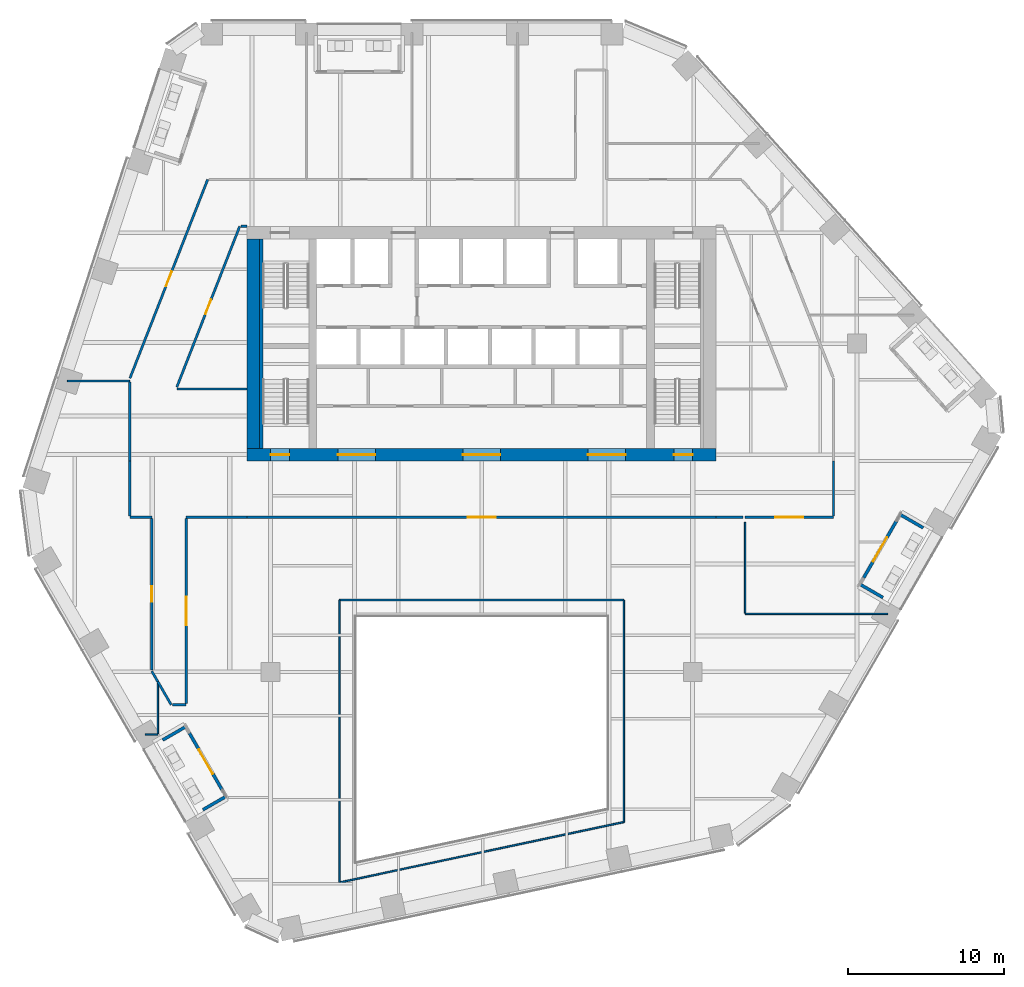
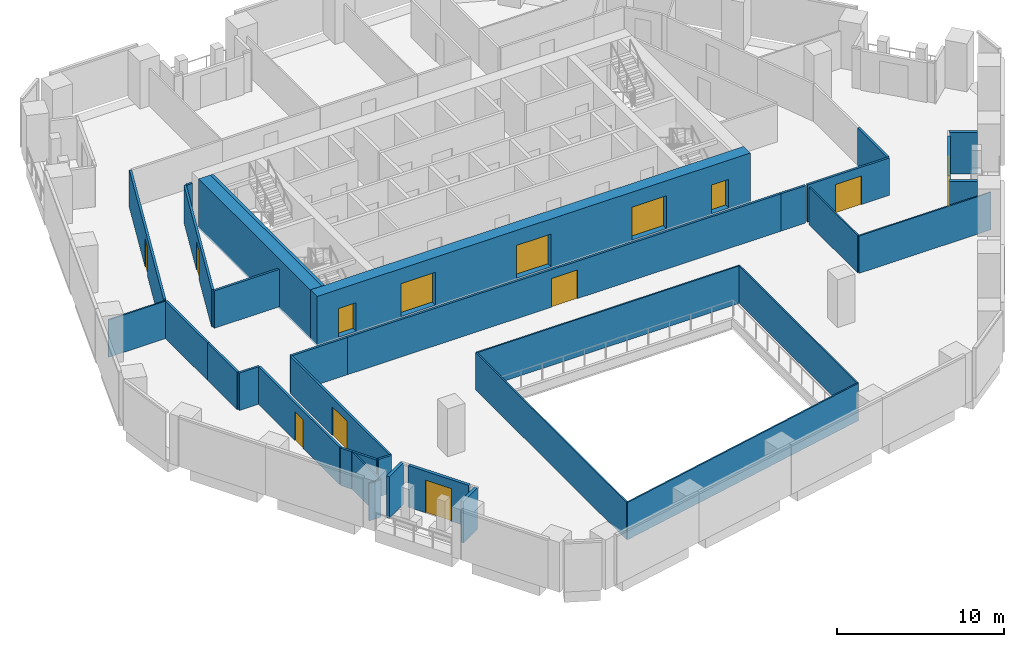
# One storey, part 19 of 26: 35 walls, 13 doors, 13 openings.
"""IFC4 building model written with IfcOpenShell, lengths in metres."""

from ifc_helpers import new_model, si_unit, direction, frame, frame_2d, origin, place, context, subcontext, project, spatial, rectangle, extrude, material, layer, layer_set, type_object, element, fill, save


model = new_model("IFC4")

# Units and contexts
model_context = context("Model", 3, precision=1e-05, world=origin(), true_north=direction((0.0, 1.0)))
body_context = subcontext(model_context, "Body", "Model", "MODEL_VIEW")
ifc_project = project(units=[si_unit("LENGTHUNIT", "METRE"), si_unit("AREAUNIT", "SQUARE_METRE"), si_unit("VOLUMEUNIT", "CUBIC_METRE"), si_unit("PLANEANGLEUNIT", "RADIAN"), si_unit("MASSUNIT", "GRAM", prefix="KILO")], contexts=[model_context])

# Site, building, storey
site_placement = place(None, origin())
site = spatial("IfcSite", under=ifc_project, at=site_placement, CompositionType="ELEMENT")
building_placement = place(site_placement, origin())
building = spatial("IfcBuilding", under=site, at=building_placement, Name="Isthmus Gate Tower", CompositionType="ELEMENT")
storey_placement = place(building_placement, frame((0.0, 0.0, 129.800048828125)))
storey = spatial("IfcBuildingStorey", under=building, at=storey_placement, Name="L31", CompositionType="ELEMENT", Elevation=129.800048828125)

# Walls
ifc_material_1 = material(Name="Fire-rated laminated glass in steel frame", Category="steel")
ifc_layer_1 = layer(ifc_material_1, 0.10009765625)
ifc_layer_set_1 = layer_set([ifc_layer_1], Name="ATRIUM SCREEN GLAZED WALL 100 120 MIN")
wall_type_1 = type_object("IfcWallType", Name="ATRIUM SCREEN GLAZED WALL 100 120 MIN", PredefinedType="PARTITIONING", material=ifc_layer_set_1)
wall_1_placement = place(storey_placement, frame((-9.10009765625, -8.89990234375, 0.0), z_axis=(0.0, 0.0, 1.0), x_axis=(1.0, 0.0, 0.0)))
element("IfcWall", 1, at=wall_1_placement, inside=storey, type_object=wall_type_1, Name="L31 atrium screen", PredefinedType="PARTITIONING", context=body_context, shape_type="SweptSolid", body=[
    extrude(rectangle(XDim=18.2001953125, YDim=0.10009765625, at=frame_2d((9.10009765625, 0.0))), origin(), (0.0, 0.0, 1.0), 2.7412109375),
])
wall_2_placement = place(storey_placement, frame((9.10009765625, -8.89990234375, 0.0), z_axis=(0.0, 0.0, 1.0), x_axis=(0.0, -1.0, 0.0)))
element("IfcWall", 2, at=wall_2_placement, inside=storey, type_object=wall_type_1, Name="L31 atrium screen", PredefinedType="PARTITIONING", context=body_context, shape_type="SweptSolid", body=[
    extrude(rectangle(XDim=14.200927734375, YDim=0.10009765625, at=frame_2d((7.1005859375, 0.0))), origin(), (0.0, 0.0, 1.0), 2.7412109375),
])
wall_3_placement = place(storey_placement, frame((9.10009765625, -23.100830078125, 0.0), z_axis=(0.0, 0.0, 1.0), x_axis=(-0.978146710971, -0.207915876778, 0.0)))
element("IfcWall", 3, at=wall_3_placement, inside=storey, type_object=wall_type_1, Name="L31 atrium screen", PredefinedType="PARTITIONING", context=body_context, shape_type="SweptSolid", body=[
    extrude(rectangle(XDim=18.60693359375, YDim=0.10009765625, at=frame_2d((9.303466796875, 0.0))), origin(), (0.0, 0.0, 1.0), 2.7412109375),
])
wall_4_placement = place(storey_placement, frame((-9.10009765625, -26.969482421875, 0.0), z_axis=(0.0, 0.0, 1.0), x_axis=(0.0, 1.0, 0.0)))
element("IfcWall", 4, at=wall_4_placement, inside=storey, type_object=wall_type_1, Name="L31 atrium screen", PredefinedType="PARTITIONING", context=body_context, shape_type="SweptSolid", body=[
    extrude(rectangle(XDim=18.069580078125, YDim=0.10009765625, at=frame_2d((9.03466796875, 0.0))), origin(), (0.0, 0.0, 1.0), 2.7412109375),
])

# Wall, opening, door
ifc_material_2 = material(Name="Gypsum board on steel studs, fire-rated", Category="steel")
ifc_layer_2 = layer(ifc_material_2, 0.14990234375)
ifc_layer_set_2 = layer_set([ifc_layer_2], Name="CORRIDOR WALL 150 60 MIN")
wall_type_2 = type_object("IfcWallType", Name="CORRIDOR WALL 150 60 MIN", PredefinedType="PARTITIONING", material=ifc_layer_set_2)
wall_5_placement = place(storey_placement, frame((15.0, -3.60009765625, 0.0), z_axis=(0.0, 0.0, 1.0), x_axis=(-1.0, 0.0, 0.0)))
wall_5 = element("IfcWall", 5, at=wall_5_placement, inside=storey, type_object=wall_type_2, Name="L31 Corridor Wall 150 60 Min", PredefinedType="PARTITIONING", context=body_context, shape_type="SweptSolid", body=[
    extrude(rectangle(XDim=30.0, YDim=0.14990234375, at=frame_2d((15.0, 0.0))), origin(), (0.0, 0.0, 1.0), 2.7412109375),
])
opening_1_placement = place(wall_5_placement, frame((14.10009765625, 0.0, 0.0)))
opening_1 = element("IfcOpeningElement", 6, at=opening_1_placement, cuts=wall_5, Name="Opening DT-T3A-09", PredefinedType="OPENING", context=body_context, shape_type="SweptSolid", body=[
    extrude(rectangle(XDim=1.800048828125, YDim=2.10009765625, at=frame_2d((0.89990234375, 1.050048828125))), frame((0.0, 0.0849609375, 0.0), z_axis=(0.0, -1.0, 0.0), x_axis=(1.0, 0.0, 0.0)), (0.0, 0.0, 1.0), 0.169921875),
])
ifc_material_3 = material(Name="Solid core timber door leaf, fire-rated", Category="wood")
door_type_1 = type_object("IfcDoorType", Name="FIRE DOOR ROOM 1800 X 2100 60 MIN", OperationType="DOUBLE_DOOR_DOUBLE_SWING", PredefinedType="DOOR", material=ifc_material_3)
door_1_placement = place(opening_1_placement, origin())
door_1 = element("IfcDoor", 7, at=door_1_placement, inside=storey, type_object=door_type_1, Name="L31 room door", OperationType="DOUBLE_DOOR_DOUBLE_SWING", OverallHeight=2.10009765625, OverallWidth=1.800048828125, PredefinedType="DOOR", context=body_context, shape_type="SweptSolid", body=[
    extrude(rectangle(XDim=1.800048828125, YDim=2.10009765625, at=frame_2d((0.89990234375, 1.050048828125))), frame((0.0, 0.02490234375, 0.0), z_axis=(0.0, -1.0, 0.0), x_axis=(1.0, 0.0, 0.0)), (0.0, 0.0, 1.0), 0.050048828125),
])
fill(opening_1, door_1)

wall_6_placement = place(storey_placement, frame((22.5, -3.60009765625, 0.0), z_axis=(0.0, 0.0, 1.0), x_axis=(-1.0, 0.0, 0.0)))
wall_6 = element("IfcWall", 8, at=wall_6_placement, inside=storey, type_object=wall_type_2, Name="L31 Corridor Wall 150 60 Min", PredefinedType="PARTITIONING", context=body_context, shape_type="SweptSolid", body=[
    extrude(rectangle(XDim=5.64990234375, YDim=0.14990234375, at=frame_2d((2.824951171875, 0.0))), origin(), (0.0, 0.0, 1.0), 2.7412109375),
])
opening_2_placement = place(wall_6_placement, frame((1.925048828125, 0.0, 0.0)))
opening_2 = element("IfcOpeningElement", 9, at=opening_2_placement, cuts=wall_6, Name="Opening DT-T3A-07", PredefinedType="OPENING", context=body_context, shape_type="SweptSolid", body=[
    extrude(rectangle(XDim=1.800048828125, YDim=2.10009765625, at=frame_2d((0.89990234375, 1.050048828125))), frame((0.0, 0.0849609375, 0.0), z_axis=(0.0, -1.0, 0.0), x_axis=(1.0, 0.0, 0.0)), (0.0, 0.0, 1.0), 0.169921875),
])
door_2_placement = place(opening_2_placement, origin())
door_2 = element("IfcDoor", 10, at=door_2_placement, inside=storey, type_object=door_type_1, Name="L31 room door", OperationType="DOUBLE_DOOR_DOUBLE_SWING", OverallHeight=2.10009765625, OverallWidth=1.800048828125, PredefinedType="DOOR", context=body_context, shape_type="SweptSolid", body=[
    extrude(rectangle(XDim=1.800048828125, YDim=2.10009765625, at=frame_2d((0.89990234375, 1.050048828125))), frame((0.0, 0.02490234375, 0.0), z_axis=(0.0, -1.0, 0.0), x_axis=(1.0, 0.0, 0.0)), (0.0, 0.0, 1.0), 0.050048828125),
])
fill(opening_2, door_2)

# Walls
wall_7_placement = place(storey_placement, frame((22.5, 0.0, 0.0), z_axis=(0.0, 0.0, 1.0), x_axis=(0.0, -1.0, 0.0)))
element("IfcWall", 11, at=wall_7_placement, inside=storey, type_object=wall_type_2, Name="L31 Corridor Wall 150 60 Min", PredefinedType="PARTITIONING", context=body_context, shape_type="SweptSolid", body=[
    extrude(rectangle(XDim=3.52490234375, YDim=0.14990234375, at=frame_2d((1.762451171875, 0.0))), origin(), (0.0, 0.0, 1.0), 2.7412109375),
])
wall_8_placement = place(storey_placement, frame((16.714111328125, -3.60009765625, 0.0), z_axis=(0.0, 0.0, 1.0), x_axis=(-1.0, 0.0, 0.0)))
element("IfcWall", 12, at=wall_8_placement, inside=storey, type_object=wall_type_2, Name="L31 Corridor Wall 150 60 Min", PredefinedType="PARTITIONING", context=body_context, shape_type="SweptSolid", body=[
    extrude(rectangle(XDim=1.714111328125, YDim=0.14990234375, at=frame_2d((0.85693359375, 0.0))), origin(), (0.0, 0.0, 1.0), 2.7412109375),
])
wall_9_placement = place(storey_placement, frame((-21.10009765625, -3.60009765625, 0.0), z_axis=(0.0, 0.0, 1.0), x_axis=(-1.0, 0.0, 0.0)))
element("IfcWall", 13, at=wall_9_placement, inside=storey, type_object=wall_type_2, Name="L31 Corridor Wall 150 60 Min", PredefinedType="PARTITIONING", context=body_context, shape_type="SweptSolid", body=[
    extrude(rectangle(XDim=1.39990234375, YDim=0.14990234375, at=frame_2d((0.699951171875, 0.0))), origin(), (0.0, 0.0, 1.0), 2.7412109375),
])
wall_10_placement = place(storey_placement, frame((-15.0, -3.60009765625, 0.0), z_axis=(0.0, 0.0, 1.0), x_axis=(-1.0, 0.0, 0.0)))
element("IfcWall", 14, at=wall_10_placement, inside=storey, type_object=wall_type_2, Name="L31 Corridor Wall 150 60 Min", PredefinedType="PARTITIONING", context=body_context, shape_type="SweptSolid", body=[
    extrude(rectangle(XDim=3.89990234375, YDim=0.14990234375, at=frame_2d((1.949951171875, 0.0))), origin(), (0.0, 0.0, 1.0), 2.7412109375),
])

# Wall, opening, door
wall_11_placement = place(storey_placement, frame((-15.47607421875, 15.0, 0.0), z_axis=(0.0, 0.0, 1.0), x_axis=(-0.364411853206, -0.931237886494, 0.0)))
wall_11 = element("IfcWall", 15, at=wall_11_placement, inside=storey, type_object=wall_type_2, Name="L31 Corridor Wall 150 60 Min", PredefinedType="PARTITIONING", context=body_context, shape_type="SweptSolid", body=[
    extrude(rectangle(XDim=11.042236328125, YDim=0.14990234375, at=frame_2d((5.52099609375, 0.0))), origin(), (0.0, 0.0, 1.0), 2.7412109375),
])
opening_3_placement = place(wall_11_placement, frame((5.021240234375, 0.0, 0.0)))
opening_3 = element("IfcOpeningElement", 16, at=opening_3_placement, cuts=wall_11, Name="Opening DT-T3A-05", PredefinedType="OPENING", context=body_context, shape_type="SweptSolid", body=[
    extrude(rectangle(XDim=1.0, YDim=2.10009765625, at=frame_2d((0.5, 1.050048828125))), frame((0.0, 0.0849609375, 0.0), z_axis=(0.0, -1.0, 0.0), x_axis=(1.0, 0.0, 0.0)), (0.0, 0.0, 1.0), 0.169921875),
])
ifc_material_4 = material(Name="Solid core timber door leaf, fire-rated", Category="wood")
door_type_2 = type_object("IfcDoorType", Name="FIRE DOOR ROOM 1000 X 2100 60 MIN", OperationType="SINGLE_SWING_LEFT", PredefinedType="DOOR", material=ifc_material_4)
door_3_placement = place(opening_3_placement, origin())
door_3 = element("IfcDoor", 17, at=door_3_placement, inside=storey, type_object=door_type_2, Name="L31 room door", OperationType="SINGLE_SWING_RIGHT", OverallHeight=2.10009765625, OverallWidth=1.0, PredefinedType="DOOR", context=body_context, shape_type="SweptSolid", body=[
    extrude(rectangle(XDim=1.0, YDim=2.10009765625, at=frame_2d((0.5, 1.050048828125))), frame((0.0, 0.02490234375, 0.0), z_axis=(0.0, -1.0, 0.0), x_axis=(1.0, 0.0, 0.0)), (0.0, 0.0, 1.0), 0.050048828125),
])
fill(opening_3, door_3)

# Walls
wall_12_placement = place(storey_placement, frame((-15.0, 15.0, 0.0), z_axis=(0.0, 0.0, 1.0), x_axis=(-1.0, 0.0, 0.0)))
element("IfcWall", 18, at=wall_12_placement, inside=storey, type_object=wall_type_2, Name="L31 Corridor Wall 150 60 Min", PredefinedType="PARTITIONING", context=body_context, shape_type="SweptSolid", body=[
    extrude(rectangle(XDim=0.40087890625, YDim=0.14990234375, at=frame_2d((0.200439453125, 0.0))), origin(), (0.0, 0.0, 1.0), 2.7412109375),
])
wall_13_placement = place(storey_placement, frame((-20.716064453125, -14.118896484375, 0.0), z_axis=(0.0, 0.0, 1.0), x_axis=(-0.500208722528, 0.865904864236, 0.0)))
element("IfcWall", 19, at=wall_13_placement, inside=storey, type_object=wall_type_2, Name="L31 Corridor Wall 150 60 Min", PredefinedType="PARTITIONING", context=body_context, shape_type="SweptSolid", body=[
    extrude(rectangle(XDim=0.767822265625, YDim=0.14990234375, at=frame_2d((0.3837890625, 0.0))), origin(), (0.0, 0.0, 1.0), 2.7412109375),
])
wall_14_placement = place(storey_placement, frame((-19.861083984375, -15.60009765625, 0.0), z_axis=(0.0, 0.0, 1.0), x_axis=(-0.499916050814, 0.866073866445, 0.0)))
element("IfcWall", 20, at=wall_14_placement, inside=storey, type_object=wall_type_2, Name="L31 Corridor Wall 150 60 Min", PredefinedType="PARTITIONING", context=body_context, shape_type="SweptSolid", body=[
    extrude(rectangle(XDim=1.710205078125, YDim=0.14990234375, at=frame_2d((0.85498046875, 0.0))), origin(), (0.0, 0.0, 1.0), 2.7412109375),
])
wall_15_placement = place(storey_placement, frame((-18.89990234375, -15.60009765625, 0.0), z_axis=(0.0, 0.0, 1.0), x_axis=(-1.0, 0.0, 0.0)))
element("IfcWall", 21, at=wall_15_placement, inside=storey, type_object=wall_type_2, Name="L31 Corridor Wall 150 60 Min", PredefinedType="PARTITIONING", context=body_context, shape_type="SweptSolid", body=[
    extrude(rectangle(XDim=0.885986328125, YDim=0.14990234375, at=frame_2d((0.44287109375, 0.0))), origin(), (0.0, 0.0, 1.0), 2.7412109375),
])

# Wall, opening, door
wall_16_placement = place(storey_placement, frame((-18.89990234375, -3.675048828125, 0.0), z_axis=(0.0, 0.0, 1.0), x_axis=(0.0, -1.0, 0.0)))
wall_16 = element("IfcWall", 22, at=wall_16_placement, inside=storey, type_object=wall_type_2, Name="L31 Corridor Wall 150 60 Min", PredefinedType="PARTITIONING", context=body_context, shape_type="SweptSolid", body=[
    extrude(rectangle(XDim=11.849853515625, YDim=0.14990234375, at=frame_2d((5.9248046875, 0.0))), origin(), (0.0, 0.0, 1.0), 2.7412109375),
])
opening_4_placement = place(wall_16_placement, frame((5.02490234375, 0.0, 0.0)))
opening_4 = element("IfcOpeningElement", 23, at=opening_4_placement, cuts=wall_16, Name="Opening DT-T3A-10", PredefinedType="OPENING", context=body_context, shape_type="SweptSolid", body=[
    extrude(rectangle(XDim=1.800048828125, YDim=2.10009765625, at=frame_2d((0.89990234375, 1.050048828125))), frame((0.0, 0.0849609375, 0.0), z_axis=(0.0, -1.0, 0.0), x_axis=(1.0, 0.0, 0.0)), (0.0, 0.0, 1.0), 0.169921875),
])
door_4_placement = place(opening_4_placement, origin())
door_4 = element("IfcDoor", 24, at=door_4_placement, inside=storey, type_object=door_type_1, Name="L31 room door", OperationType="DOUBLE_DOOR_DOUBLE_SWING", OverallHeight=2.10009765625, OverallWidth=1.800048828125, PredefinedType="DOOR", context=body_context, shape_type="SweptSolid", body=[
    extrude(rectangle(XDim=1.800048828125, YDim=2.10009765625, at=frame_2d((0.89990234375, 1.050048828125))), frame((0.0, 0.02490234375, 0.0), z_axis=(0.0, -1.0, 0.0), x_axis=(1.0, 0.0, 0.0)), (0.0, 0.0, 1.0), 0.050048828125),
])
fill(opening_4, door_4)

wall_17_placement = place(storey_placement, frame((-22.5, 5.282958984375, 0.0), z_axis=(0.0, 0.0, 1.0), x_axis=(0.364389237236, 0.931246736256, 0.0)))
wall_17 = element("IfcWall", 25, at=wall_17_placement, inside=storey, type_object=wall_type_2, Name="L31 Corridor Wall 150 60 Min", PredefinedType="PARTITIONING", context=body_context, shape_type="SweptSolid", body=[
    extrude(rectangle(XDim=13.656005859375, YDim=0.14990234375, at=frame_2d((6.828125, 0.0))), origin(), (0.0, 0.0, 1.0), 2.7412109375),
])
opening_5_placement = place(wall_17_placement, frame((6.327880859375, 0.0, 0.0)))
opening_5 = element("IfcOpeningElement", 26, at=opening_5_placement, cuts=wall_17, Name="Opening DT-T3A-04", PredefinedType="OPENING", context=body_context, shape_type="SweptSolid", body=[
    extrude(rectangle(XDim=1.0, YDim=2.10009765625, at=frame_2d((0.5, 1.050048828125))), frame((0.0, 0.0849609375, 0.0), z_axis=(0.0, -1.0, 0.0), x_axis=(1.0, 0.0, 0.0)), (0.0, 0.0, 1.0), 0.169921875),
])
door_5_placement = place(opening_5_placement, origin())
door_5 = element("IfcDoor", 27, at=door_5_placement, inside=storey, type_object=door_type_2, Name="L31 room door", OperationType="SINGLE_SWING_RIGHT", OverallHeight=2.10009765625, OverallWidth=1.0, PredefinedType="DOOR", context=body_context, shape_type="SweptSolid", body=[
    extrude(rectangle(XDim=1.0, YDim=2.10009765625, at=frame_2d((0.5, 1.050048828125))), frame((0.0, 0.02490234375, 0.0), z_axis=(0.0, -1.0, 0.0), x_axis=(1.0, 0.0, 0.0)), (0.0, 0.0, 1.0), 0.050048828125),
])
fill(opening_5, door_5)

# Walls
wall_18_placement = place(storey_placement, frame((-19.5, 4.60009765625, 0.0), z_axis=(0.0, 0.0, 1.0), x_axis=(1.0, 0.0, 0.0)))
element("IfcWall", 28, at=wall_18_placement, inside=storey, type_object=wall_type_2, Name="L31 Corridor Wall 150 60 Min", PredefinedType="PARTITIONING", context=body_context, shape_type="SweptSolid", body=[
    extrude(rectangle(XDim=4.5, YDim=0.14990234375, at=frame_2d((2.25, 0.0))), origin(), (0.0, 0.0, 1.0), 2.7412109375),
])
wall_19_placement = place(storey_placement, frame((-22.5, -3.52490234375, 0.0), z_axis=(0.0, 0.0, 1.0), x_axis=(0.0, 1.0, 0.0)))
element("IfcWall", 29, at=wall_19_placement, inside=storey, type_object=wall_type_2, Name="L31 Corridor Wall 150 60 Min", PredefinedType="PARTITIONING", context=body_context, shape_type="SweptSolid", body=[
    extrude(rectangle(XDim=3.52490234375, YDim=0.14990234375, at=frame_2d((1.762451171875, 0.0))), origin(), (0.0, 0.0, 1.0), 2.7412109375),
])
wall_20_placement = place(storey_placement, frame((-22.5, 0.0, 0.0), z_axis=(0.0, 0.0, 1.0), x_axis=(0.0, 1.0, 0.0)))
element("IfcWall", 30, at=wall_20_placement, inside=storey, type_object=wall_type_2, Name="L31 Corridor Wall 150 60 Min", PredefinedType="PARTITIONING", context=body_context, shape_type="SweptSolid", body=[
    extrude(rectangle(XDim=5.06103515625, YDim=0.14990234375, at=frame_2d((2.530517578125, 0.0))), origin(), (0.0, 0.0, 1.0), 2.7412109375),
])

# Wall, opening, door
wall_21_placement = place(storey_placement, frame((-21.10009765625, -13.37890625, 0.0), z_axis=(0.0, 0.0, 1.0), x_axis=(0.0, 1.0, 0.0)))
wall_21 = element("IfcWall", 31, at=wall_21_placement, inside=storey, type_object=wall_type_2, Name="L31 Corridor Wall 150 60 Min", PredefinedType="PARTITIONING", context=body_context, shape_type="SweptSolid", body=[
    extrude(rectangle(XDim=9.703857421875, YDim=0.14990234375, at=frame_2d((4.85205078125, 0.0))), origin(), (0.0, 0.0, 1.0), 2.7412109375),
])
opening_6_placement = place(wall_21_placement, frame((4.35205078125, 0.0, 0.0)))
opening_6 = element("IfcOpeningElement", 32, at=opening_6_placement, cuts=wall_21, Name="Opening DT-T3A-08", PredefinedType="OPENING", context=body_context, shape_type="SweptSolid", body=[
    extrude(rectangle(XDim=1.0, YDim=2.10009765625, at=frame_2d((0.5, 1.050048828125))), frame((0.0, 0.0849609375, 0.0), z_axis=(0.0, -1.0, 0.0), x_axis=(1.0, 0.0, 0.0)), (0.0, 0.0, 1.0), 0.169921875),
])
door_6_placement = place(opening_6_placement, origin())
door_6 = element("IfcDoor", 33, at=door_6_placement, inside=storey, type_object=door_type_2, Name="L31 room door", OperationType="SINGLE_SWING_RIGHT", OverallHeight=2.10009765625, OverallWidth=1.0, PredefinedType="DOOR", context=body_context, shape_type="SweptSolid", body=[
    extrude(rectangle(XDim=1.0, YDim=2.10009765625, at=frame_2d((0.5, 1.050048828125))), frame((0.0, 0.02490234375, 0.0), z_axis=(0.0, -1.0, 0.0), x_axis=(1.0, 0.0, 0.0)), (0.0, 0.0, 1.0), 0.050048828125),
])
fill(opening_6, door_6)

ifc_material_5 = material(Name="Precast concrete C40/50", Category="concrete")
ifc_layer_3 = layer(ifc_material_5, 0.199951171875)
ifc_layer_set_3 = layer_set([ifc_layer_3], Name="LOGGIA WALL 200")
wall_type_3 = type_object("IfcWallType", Name="LOGGIA WALL 200", PredefinedType="SOLIDWALL", material=ifc_layer_set_3)
wall_22_placement = place(storey_placement, frame((-18.695556640625, -17.418212890625, 0.0), z_axis=(0.0, 0.0, 1.0), x_axis=(0.49998411664, -0.866034573852, 0.0)))
wall_22 = element("IfcWall", 34, at=wall_22_placement, inside=storey, type_object=wall_type_3, Name="LOGGIA BACK WALL", PredefinedType="SOLIDWALL", context=body_context, shape_type="SweptSolid", body=[
    extrude(rectangle(XDim=4.199951171875, YDim=0.199951171875, at=frame_2d((2.10009765625, 0.0))), origin(), (0.0, 0.0, 1.0), 3.050048828125),
])
opening_7_placement = place(wall_22_placement, frame((1.199951171875, 0.0, 0.0)))
opening_7 = element("IfcOpeningElement", 35, at=opening_7_placement, cuts=wall_22, Name="Opening DE31-03", PredefinedType="OPENING", context=body_context, shape_type="SweptSolid", body=[
    extrude(rectangle(XDim=1.800048828125, YDim=2.39990234375, at=frame_2d((0.89990234375, 1.199951171875))), frame((0.0, 0.10986328125, 0.0), z_axis=(0.0, -1.0, 0.0), x_axis=(1.0, 0.0, 0.0)), (0.0, 0.0, 1.0), 0.219970703125),
])
ifc_material_6 = material(Name="Aluminium, pale champagne anodised, laminated glass", Category="aluminium")
door_type_3 = type_object("IfcDoorType", Name="LOGGIA DOOR SLIDING 1800 X 2400", OperationType="DOUBLE_DOOR_SLIDING", PredefinedType="DOOR", material=ifc_material_6)
door_7_placement = place(opening_7_placement, origin())
door_7 = element("IfcDoor", 36, at=door_7_placement, inside=storey, type_object=door_type_3, Name="DOOR DE31-03", OperationType="SINGLE_SWING_LEFT", OverallHeight=2.39990234375, OverallWidth=1.800048828125, PredefinedType="DOOR", context=body_context, shape_type="SweptSolid", body=[
    extrude(rectangle(XDim=1.800048828125, YDim=2.39990234375, at=frame_2d((0.89990234375, 1.199951171875))), frame((0.0, 0.02490234375, 0.0), z_axis=(0.0, -1.0, 0.0), x_axis=(1.0, 0.0, 0.0)), (0.0, 0.0, 1.0), 0.050048828125),
])
fill(opening_7, door_7)

# Walls
wall_23_placement = place(storey_placement, frame((-20.405517578125, -17.856689453125, 0.0), z_axis=(0.0, 0.0, 1.0), x_axis=(0.866031085144, 0.499990159468, 0.0)))
element("IfcWall", 37, at=wall_23_placement, inside=storey, type_object=wall_type_3, Name="LOGGIA SIDE WALL", PredefinedType="SOLIDWALL", context=body_context, shape_type="SweptSolid", body=[
    extrude(rectangle(XDim=1.68408203125, YDim=0.199951171875, at=frame_2d((0.842041015625, 0.0))), origin(), (0.0, 0.0, 1.0), 3.050048828125),
])
wall_24_placement = place(storey_placement, frame((-17.830322265625, -22.31689453125, 0.0), z_axis=(0.0, 0.0, 1.0), x_axis=(0.865994838069, 0.500052937636, 0.0)))
element("IfcWall", 38, at=wall_24_placement, inside=storey, type_object=wall_type_3, Name="LOGGIA SIDE WALL", PredefinedType="SOLIDWALL", context=body_context, shape_type="SweptSolid", body=[
    extrude(rectangle(XDim=1.683837890625, YDim=0.199951171875, at=frame_2d((0.841796875, 0.0))), origin(), (0.0, 0.0, 1.0), 3.049072265625),
])

# Wall, opening, door
wall_25_placement = place(storey_placement, frame((24.432373046875, -7.48193359375, 0.0), z_axis=(0.0, 0.0, 1.0), x_axis=(0.500002543286, 0.866023935413, 0.0)))
wall_25 = element("IfcWall", 39, at=wall_25_placement, inside=storey, type_object=wall_type_3, Name="LOGGIA BACK WALL", PredefinedType="SOLIDWALL", context=body_context, shape_type="SweptSolid", body=[
    extrude(rectangle(XDim=4.2001953125, YDim=0.199951171875, at=frame_2d((2.10009765625, 0.0))), origin(), (0.0, 0.0, 1.0), 3.049072265625),
])
opening_8_placement = place(wall_25_placement, frame((1.199951171875, 0.0, 0.0)))
opening_8 = element("IfcOpeningElement", 40, at=opening_8_placement, cuts=wall_25, Name="Opening DE31-04", PredefinedType="OPENING", context=body_context, shape_type="SweptSolid", body=[
    extrude(rectangle(XDim=1.800048828125, YDim=2.39990234375, at=frame_2d((0.89990234375, 1.199951171875))), frame((0.0, 0.10986328125, 0.0), z_axis=(0.0, -1.0, 0.0), x_axis=(1.0, 0.0, 0.0)), (0.0, 0.0, 1.0), 0.219970703125),
])
door_8_placement = place(opening_8_placement, origin())
door_8 = element("IfcDoor", 41, at=door_8_placement, inside=storey, type_object=door_type_3, Name="DOOR DE31-04", OperationType="SINGLE_SWING_LEFT", OverallHeight=2.39990234375, OverallWidth=1.800048828125, PredefinedType="DOOR", context=body_context, shape_type="SweptSolid", body=[
    extrude(rectangle(XDim=1.800048828125, YDim=2.39990234375, at=frame_2d((0.89990234375, 1.199951171875))), frame((0.0, 0.02490234375, 0.0), z_axis=(0.0, -1.0, 0.0), x_axis=(1.0, 0.0, 0.0)), (0.0, 0.0, 1.0), 0.050048828125),
])
fill(opening_8, door_8)

# Walls
for number, where, z_axis, x_axis, name in (
    (42, (25.667236328125, -8.7431640625, 0.0), (0.0, 0.0, 1.0), (-0.866031085144, 0.499990159468, 0.0), "LOGGIA SIDE WALL"),
    (43, (28.2421875, -4.283203125, 0.0), (0.0, 0.0, 1.0), (-0.866031085144, 0.499990159468, 0.0), "LOGGIA SIDE WALL"),
):
    element("IfcWall", number, at=place(storey_placement, frame(where, z_axis=z_axis, x_axis=x_axis)), inside=storey, type_object=wall_type_3, Name=name, PredefinedType="SOLIDWALL", context=body_context, shape_type="SweptSolid", body=[
        extrude(rectangle(XDim=1.68408203125, YDim=0.199951171875, at=frame_2d((0.842041015625, 0.0))), origin(), (0.0, 0.0, 1.0), 3.050048828125),
    ])

# Wall, openings, doors
ifc_material_7 = material(Name="Concrete f'c 60 MPa", Category="concrete")
ifc_layer_4 = layer(ifc_material_7, 0.800048828125)
ifc_layer_set_4 = layer_set([ifc_layer_4], Name="RC CORE WALL 800 F'C 60")
wall_type_4 = type_object("IfcWallType", Name="RC CORE WALL 800 F'C 60", PredefinedType="SOLIDWALL", material=ifc_layer_set_4)
wall_26_placement = place(storey_placement, frame((-15.0, 0.39990234375, -0.150146484375), z_axis=(0.0, 0.0, 1.0), x_axis=(1.0, 0.0, 0.0)))
wall_26 = element("IfcWall", 44, at=wall_26_placement, inside=storey, type_object=wall_type_4, Name="str-corewall-L31-S", PredefinedType="SOLIDWALL", context=body_context, shape_type="SweptSolid", body=[
    extrude(rectangle(XDim=30.0, YDim=0.800048828125, at=frame_2d((15.0, 0.0))), origin(), (0.0, 0.0, 1.0), 3.650146484375),
])
opening_9_placement = place(wall_26_placement, frame((5.800048828125, 0.0, 0.14990234375)))
opening_9 = element("IfcOpeningElement", 45, at=opening_9_placement, cuts=wall_26, Name="Opening DC-A10-10", PredefinedType="OPENING", context=body_context, shape_type="SweptSolid", body=[
    extrude(rectangle(XDim=2.39990234375, YDim=2.39990234375, at=frame_2d((1.199951171875, 1.199951171875))), frame((0.0, 0.409912109375, 0.0), z_axis=(0.0, -1.0, 0.0), x_axis=(1.0, 0.0, 0.0)), (0.0, 0.0, 1.0), 0.820068359375),
])
opening_10_placement = place(wall_26_placement, frame((13.800048828125, 0.0, 0.14990234375)))
opening_10 = element("IfcOpeningElement", 46, at=opening_10_placement, cuts=wall_26, Name="Opening DC-A10-11", PredefinedType="OPENING", context=body_context, shape_type="SweptSolid", body=[
    extrude(rectangle(XDim=2.39990234375, YDim=2.39990234375, at=frame_2d((1.199951171875, 1.199951171875))), frame((0.0, 0.409912109375, 0.0), z_axis=(0.0, -1.0, 0.0), x_axis=(1.0, 0.0, 0.0)), (0.0, 0.0, 1.0), 0.820068359375),
])
opening_11_placement = place(wall_26_placement, frame((21.800048828125, 0.0, 0.14990234375)))
opening_11 = element("IfcOpeningElement", 47, at=opening_11_placement, cuts=wall_26, Name="Opening DC-A10-12", PredefinedType="OPENING", context=body_context, shape_type="SweptSolid", body=[
    extrude(rectangle(XDim=2.39990234375, YDim=2.39990234375, at=frame_2d((1.199951171875, 1.199951171875))), frame((0.0, 0.409912109375, 0.0), z_axis=(0.0, -1.0, 0.0), x_axis=(1.0, 0.0, 0.0)), (0.0, 0.0, 1.0), 0.820068359375),
])
opening_12_placement = place(wall_26_placement, frame((1.5, 0.0, 0.14990234375)))
opening_12 = element("IfcOpeningElement", 48, at=opening_12_placement, cuts=wall_26, Name="Opening DC-A10-17", PredefinedType="OPENING", context=body_context, shape_type="SweptSolid", body=[
    extrude(rectangle(XDim=1.199951171875, YDim=2.10009765625, at=frame_2d((0.60009765625, 1.050048828125))), frame((0.0, 0.409912109375, 0.0), z_axis=(0.0, -1.0, 0.0), x_axis=(1.0, 0.0, 0.0)), (0.0, 0.0, 1.0), 0.820068359375),
])
opening_13_placement = place(wall_26_placement, frame((27.300048828125, 0.0, 0.14990234375)))
opening_13 = element("IfcOpeningElement", 49, at=opening_13_placement, cuts=wall_26, Name="Opening DC-A10-18", PredefinedType="OPENING", context=body_context, shape_type="SweptSolid", body=[
    extrude(rectangle(XDim=1.199951171875, YDim=2.10009765625, at=frame_2d((0.60009765625, 1.050048828125))), frame((0.0, 0.409912109375, 0.0), z_axis=(0.0, -1.0, 0.0), x_axis=(1.0, 0.0, 0.0)), (0.0, 0.0, 1.0), 0.820068359375),
])
ifc_material_8 = material(Name="Laminated safety glass in steel frame, fire-rated", Category="steel")
door_type_4 = type_object("IfcDoorType", Name="LOBBY ENTRANCE FIRE DOOR 2400 X 2400 60 MIN", OperationType="DOUBLE_DOOR_DOUBLE_SWING", PredefinedType="DOOR", material=ifc_material_8)
door_9_placement = place(opening_9_placement, origin())
door_9 = element("IfcDoor", 50, at=door_9_placement, inside=storey, type_object=door_type_4, Name="Lobby Entrance PS-W", OperationType="DOUBLE_DOOR_DOUBLE_SWING", OverallHeight=2.39990234375, OverallWidth=2.39990234375, PredefinedType="DOOR", context=body_context, shape_type="SweptSolid", body=[
    extrude(rectangle(XDim=2.39990234375, YDim=2.39990234375, at=frame_2d((1.199951171875, 1.199951171875))), frame((0.0, 0.02490234375, 0.0), z_axis=(0.0, -1.0, 0.0), x_axis=(1.0, 0.0, 0.0)), (0.0, 0.0, 1.0), 0.050048828125),
])
fill(opening_9, door_9)
door_10_placement = place(opening_10_placement, origin())
door_10 = element("IfcDoor", 51, at=door_10_placement, inside=storey, type_object=door_type_4, Name="Lobby Entrance PS-C", OperationType="DOUBLE_DOOR_DOUBLE_SWING", OverallHeight=2.39990234375, OverallWidth=2.39990234375, PredefinedType="DOOR", context=body_context, shape_type="SweptSolid", body=[
    extrude(rectangle(XDim=2.39990234375, YDim=2.39990234375, at=frame_2d((1.199951171875, 1.199951171875))), frame((0.0, 0.02490234375, 0.0), z_axis=(0.0, -1.0, 0.0), x_axis=(1.0, 0.0, 0.0)), (0.0, 0.0, 1.0), 0.050048828125),
])
fill(opening_10, door_10)
door_11_placement = place(opening_11_placement, origin())
door_11 = element("IfcDoor", 52, at=door_11_placement, inside=storey, type_object=door_type_4, Name="Lobby Entrance PS-E", OperationType="DOUBLE_DOOR_DOUBLE_SWING", OverallHeight=2.39990234375, OverallWidth=2.39990234375, PredefinedType="DOOR", context=body_context, shape_type="SweptSolid", body=[
    extrude(rectangle(XDim=2.39990234375, YDim=2.39990234375, at=frame_2d((1.199951171875, 1.199951171875))), frame((0.0, 0.02490234375, 0.0), z_axis=(0.0, -1.0, 0.0), x_axis=(1.0, 0.0, 0.0)), (0.0, 0.0, 1.0), 0.050048828125),
])
fill(opening_11, door_11)
ifc_material_9 = material(Name="Steel door leaf, fire-rated", Category="steel")
door_type_5 = type_object("IfcDoorType", Name="STAIR FIRE DOOR 1200 X 2100 90 MIN", OperationType="SINGLE_SWING_LEFT", PredefinedType="DOOR", material=ifc_material_9)
door_12_placement = place(opening_12_placement, origin())
door_12 = element("IfcDoor", 53, at=door_12_placement, inside=storey, type_object=door_type_5, Name="Exit Stair 7 Door", OperationType="SINGLE_SWING_LEFT", OverallHeight=2.10009765625, OverallWidth=1.199951171875, PredefinedType="DOOR", context=body_context, shape_type="SweptSolid", body=[
    extrude(rectangle(XDim=1.199951171875, YDim=2.10009765625, at=frame_2d((0.60009765625, 1.050048828125))), frame((0.0, 0.02490234375, 0.0), z_axis=(0.0, -1.0, 0.0), x_axis=(1.0, 0.0, 0.0)), (0.0, 0.0, 1.0), 0.050048828125),
])
fill(opening_12, door_12)
door_13_placement = place(opening_13_placement, origin())
door_13 = element("IfcDoor", 54, at=door_13_placement, inside=storey, type_object=door_type_5, Name="Exit Stair 8 Door", OperationType="SINGLE_SWING_RIGHT", OverallHeight=2.10009765625, OverallWidth=1.199951171875, PredefinedType="DOOR", context=body_context, shape_type="SweptSolid", body=[
    extrude(rectangle(XDim=1.199951171875, YDim=2.10009765625, at=frame_2d((0.60009765625, 1.050048828125))), frame((0.0, 0.02490234375, 0.0), z_axis=(0.0, -1.0, 0.0), x_axis=(1.0, 0.0, 0.0)), (0.0, 0.0, 1.0), 0.050048828125),
])
fill(opening_13, door_13)

# Walls
wall_27_placement = place(storey_placement, frame((-14.60009765625, 0.800048828125, -0.150146484375), z_axis=(0.0, 0.0, 1.0), x_axis=(0.0, 1.0, 0.0)))
element("IfcWall", 55, at=wall_27_placement, inside=storey, type_object=wall_type_4, Name="str-corewall-L31-W", PredefinedType="SOLIDWALL", context=body_context, shape_type="SweptSolid", body=[
    extrude(rectangle(XDim=13.39990234375, YDim=0.800048828125, at=frame_2d((6.699951171875, 0.0))), origin(), (0.0, 0.0, 1.0), 3.650146484375),
])
ifc_material_10 = material(Name="Gypsum board on steel studs, fire-rated", Category="steel")
ifc_layer_5 = layer(ifc_material_10, 0.10009765625)
ifc_layer_set_5 = layer_set([ifc_layer_5], Name="ROOM PARTITION 100 30 MIN")
wall_type_5 = type_object("IfcWallType", Name="ROOM PARTITION 100 30 MIN", PredefinedType="PARTITIONING", material=ifc_layer_set_5)
wall_28_placement = place(storey_placement, frame((-26.506103515625, 5.111083984375, 0.0), z_axis=(0.0, 0.0, 1.0), x_axis=(1.0, 0.0, 0.0)))
element("IfcWall", 56, at=wall_28_placement, inside=storey, type_object=wall_type_5, Name="L31 Room Partition 100 30 Min", PredefinedType="PARTITIONING", context=body_context, shape_type="SweptSolid", body=[
    extrude(rectangle(XDim=3.981201171875, YDim=0.10009765625, at=frame_2d((1.99072265625, 0.0))), origin(), (0.0, 0.0, 1.0), 2.7412109375),
])
wall_29_placement = place(storey_placement, frame((16.85009765625, -9.785888671875, 0.0), z_axis=(0.0, 0.0, 1.0), x_axis=(1.0, 0.0, 0.0)))
element("IfcWall", 57, at=wall_29_placement, inside=storey, type_object=wall_type_5, Name="L31 Room Partition 100 30 Min", PredefinedType="PARTITIONING", context=body_context, shape_type="SweptSolid", body=[
    extrude(rectangle(XDim=9.138916015625, YDim=0.10009765625, at=frame_2d((4.5693359375, 0.0))), origin(), (0.0, 0.0, 1.0), 2.7412109375),
])
wall_30_placement = place(storey_placement, frame((-21.527099609375, -17.513916015625, 0.0), z_axis=(0.0, 0.0, 1.0), x_axis=(1.0, 0.0, 0.0)))
element("IfcWall", 58, at=wall_30_placement, inside=storey, type_object=wall_type_5, Name="L31 Room Partition 100 30 Min", PredefinedType="PARTITIONING", context=body_context, shape_type="SweptSolid", body=[
    extrude(rectangle(XDim=0.81103515625, YDim=0.10009765625, at=frame_2d((0.405517578125, 0.0))), origin(), (0.0, 0.0, 1.0), 2.7412109375),
])
wall_31_placement = place(storey_placement, frame((-20.716064453125, -17.464111328125, 0.0), z_axis=(0.0, 0.0, 1.0), x_axis=(0.0, 1.0, 0.0)))
element("IfcWall", 59, at=wall_31_placement, inside=storey, type_object=wall_type_5, Name="L31 Room Partition 100 30 Min", PredefinedType="PARTITIONING", context=body_context, shape_type="SweptSolid", body=[
    extrude(rectangle(XDim=3.27001953125, YDim=0.10009765625, at=frame_2d((1.635009765625, 0.0))), origin(), (0.0, 0.0, 1.0), 2.7412109375),
])
wall_32_placement = place(storey_placement, frame((16.85009765625, -9.736083984375, 0.0), z_axis=(0.0, 0.0, 1.0), x_axis=(0.0, 1.0, 0.0)))
element("IfcWall", 60, at=wall_32_placement, inside=storey, type_object=wall_type_5, Name="L31 Room Partition 100 30 Min", PredefinedType="PARTITIONING", context=body_context, shape_type="SweptSolid", body=[
    extrude(rectangle(XDim=5.796142578125, YDim=0.10009765625, at=frame_2d((2.89794921875, 0.0))), origin(), (0.0, 0.0, 1.0), 2.7412109375),
])
ifc_material_11 = material(Name="Concrete f'c 40 MPa", Category="concrete")
ifc_layer_6 = layer(ifc_material_11, 0.199951171875)
ifc_layer_set_6 = layer_set([ifc_layer_6], Name="STAIR ENCLOSURE WALL 200 180 MIN")
wall_type_6 = type_object("IfcWallType", Name="STAIR ENCLOSURE WALL 200 180 MIN", PredefinedType="SOLIDWALL", material=ifc_layer_set_6)
wall_33_placement = place(storey_placement, frame((-14.10009765625, 0.800048828125, 0.0), z_axis=(0.0, 0.0, 1.0), x_axis=(0.0, 1.0, 0.0)))
element("IfcWall", 61, at=wall_33_placement, inside=storey, type_object=wall_type_6, Name="L31 STAIR ENCLOSURE WALL 200 180 MIN", PredefinedType="SOLIDWALL", context=body_context, shape_type="SweptSolid", body=[
    extrude(rectangle(XDim=13.39990234375, YDim=0.199951171875, at=frame_2d((6.699951171875, 0.0))), origin(), (0.0, 0.0, 1.0), 3.5),
])

save(model, "model.ifc")
